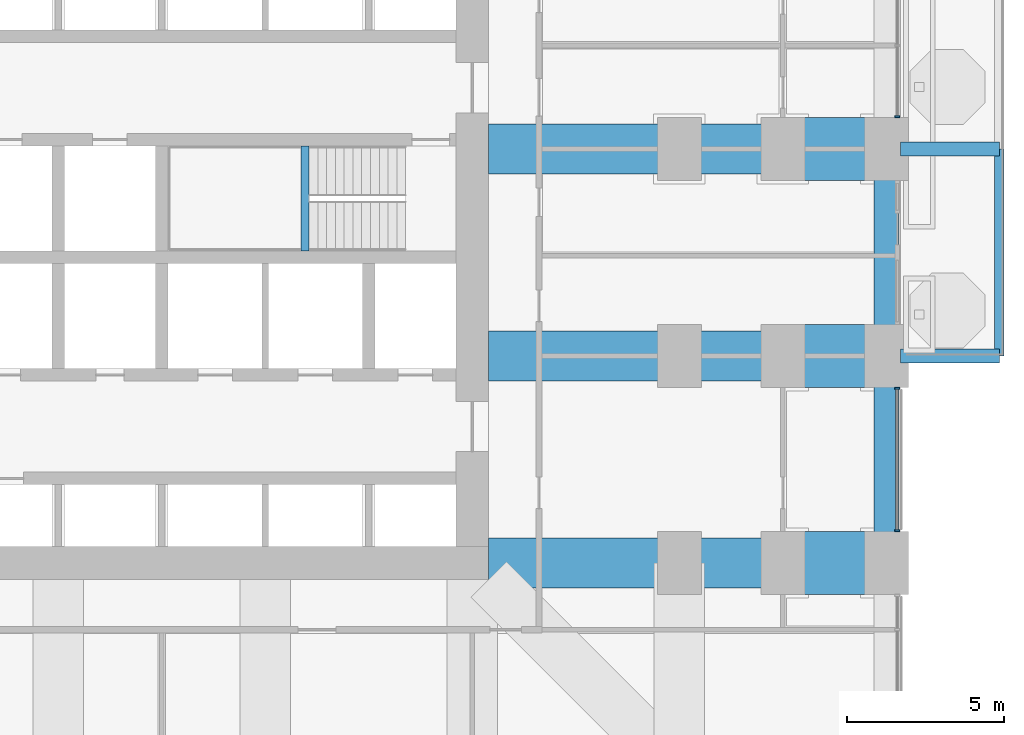
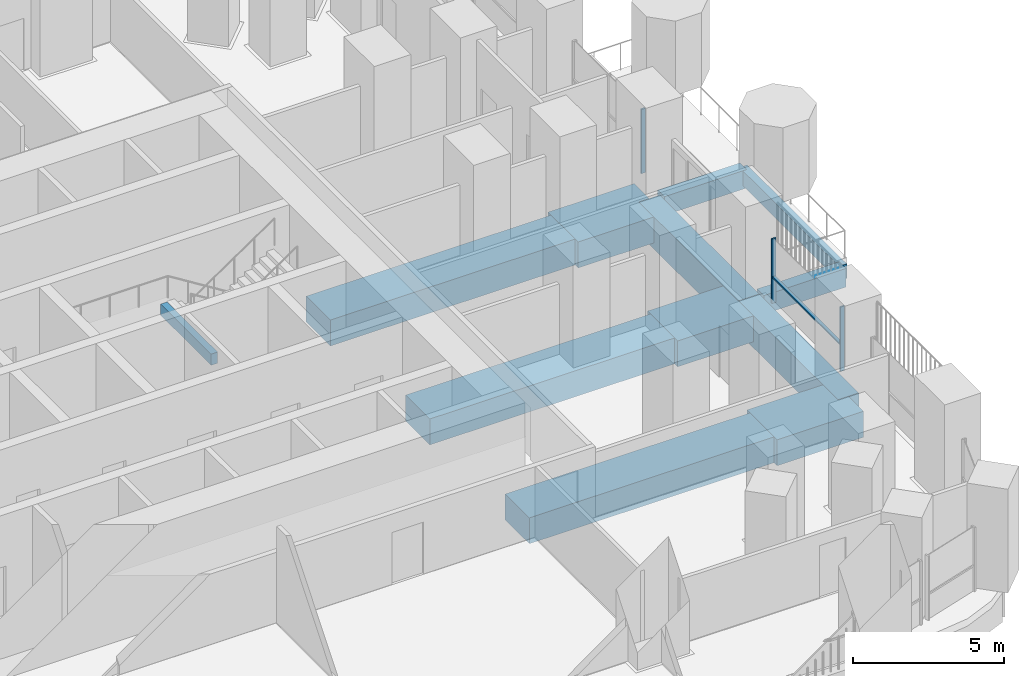
# One storey, part 5 of 25: 12 beams, 4 members, 2 elements without a shape of their own.
"""IFC4 building model written with IfcOpenShell, lengths in metres."""

from ifc_helpers import new_model, si_unit, direction, frame, origin, origin_2d, place, context, subcontext, project, spatial, rectangle, extrude, material, material_profile, profile_set, type_object, element, aggregate, save


model = new_model("IFC4")

# Units and contexts
model_context = context("Model", 3, precision=1e-05, world=origin(), true_north=direction((0.0, 1.0)))
body_context = subcontext(model_context, "Body", "Model", "MODEL_VIEW")
ifc_project = project(units=[si_unit("LENGTHUNIT", "METRE"), si_unit("AREAUNIT", "SQUARE_METRE"), si_unit("VOLUMEUNIT", "CUBIC_METRE"), si_unit("PLANEANGLEUNIT", "RADIAN"), si_unit("MASSUNIT", "GRAM", prefix="KILO")], contexts=[model_context])

# Site, building, storey
site_placement = place(None, origin())
site = spatial("IfcSite", under=ifc_project, at=site_placement, CompositionType="ELEMENT")
building_placement = place(site_placement, origin())
building = spatial("IfcBuilding", under=site, at=building_placement, Name="Cobogo Forest Laboratory Tower", CompositionType="ELEMENT")
storey_placement = place(building_placement, frame((0.0, 0.0, 67.5)))
storey = spatial("IfcBuildingStorey", under=building, at=storey_placement, Name="L15", CompositionType="ELEMENT", Elevation=67.5)

# Beams
ifc_material_1 = material(Name="Concrete HA-40 (C40/50)", Category="concrete")
ifc_material_profile_1 = material_profile(ifc_material_1, rectangle(XDim=0.449951171875, YDim=0.75, at=origin_2d()), Name="RC 450x750")
ifc_profile_set_1 = profile_set([ifc_material_profile_1], Name="Concrete HA-40 (C40/50)")
beam_type_1 = type_object("IfcBeamType", Name="Balcony cantilever beam 450x750", PredefinedType="BEAM", material=ifc_profile_set_1)
for number, where, z_axis, x_axis, name in (
    (1, (53.25, 19.800048828125, -0.625), (1.0, 0.0, 0.0), (0.0, 1.0, 0.0), "CB1 BAL-E1-C1 L15"),
    (2, (53.25, 26.39990234375, -0.625), (1.0, 0.0, 0.0), (0.0, 1.0, 0.0), "CB1 BAL-E1-C2 L15"),
):
    element("IfcBeam", number, at=place(storey_placement, frame(where, z_axis=z_axis, x_axis=x_axis)), inside=storey, type_object=beam_type_1, Name=name, PredefinedType="BEAM", context=body_context, shape_type="SweptSolid", body=[
        extrude(rectangle(XDim=0.449951171875, YDim=0.75, at=origin_2d()), origin(), (0.0, 0.0, 1.0), 3.14990234375),
    ])
ifc_material_profile_2 = material_profile(ifc_material_1, rectangle(XDim=0.300048828125, YDim=0.60009765625, at=origin_2d()), Name="RC 300x600")
ifc_profile_set_2 = profile_set([ifc_material_profile_2], Name="Concrete HA-40 (C40/50)")
beam_type_2 = type_object("IfcBeamType", Name="Balcony edge beam 300x600", PredefinedType="BEAM", material=ifc_profile_set_2)
beam_1_placement = place(storey_placement, frame((56.39990234375, 19.800048828125, -0.550048828125), z_axis=(0.0, 1.0, 0.0), x_axis=(-1.0, 0.0, 0.0)))
element("IfcBeam", 3, at=beam_1_placement, inside=storey, type_object=beam_type_2, Name="BB1 BAL-E1-T1 L15", PredefinedType="BEAM", context=body_context, shape_type="SweptSolid", body=[
    extrude(rectangle(XDim=0.300048828125, YDim=0.60009765625, at=origin_2d()), origin(), (0.0, 0.0, 1.0), 6.599853515625),
])
ifc_material_2 = material(Name="Concrete HA-50 (C50/60)", Category="concrete")
ifc_material_profile_3 = material_profile(ifc_material_2, rectangle(XDim=2.0, YDim=1.050048828125, at=origin_2d()), Name="RC 2000x1050")
ifc_profile_set_3 = profile_set([ifc_material_profile_3], Name="Concrete HA-50 (C50/60)")
beam_type_3 = type_object("IfcBeamType", Name="End-bay wide beam 2000x1050", PredefinedType="BEAM", material=ifc_profile_set_3)
for number, where, z_axis, x_axis, name in (
    (4, (52.800048828125, 13.199951171875, -0.824951171875), (-1.0, 0.0, 0.0), (0.0, -1.0, 0.0), "RB7 R-C-E-X L15"),
    (5, (52.800048828125, 19.800048828125, -0.824951171875), (-1.0, 0.0, 0.0), (0.0, -1.0, 0.0), "RB7 R-D-E-X L15"),
    (6, (52.800048828125, 26.39990234375, -0.824951171875), (-1.0, 0.0, 0.0), (0.0, -1.0, 0.0), "RB7 R-E-E-X L15"),
):
    element("IfcBeam", number, at=place(storey_placement, frame(where, z_axis=z_axis, x_axis=x_axis)), inside=storey, type_object=beam_type_3, Name=name, PredefinedType="BEAM", context=body_context, shape_type="SweptSolid", body=[
        extrude(rectangle(XDim=2.0, YDim=1.050048828125, at=origin_2d()), origin(), (0.0, 0.0, 1.0), 3.300048828125),
    ])
ifc_material_profile_4 = material_profile(ifc_material_1, rectangle(XDim=0.25, YDim=0.449951171875, at=origin_2d()), Name="RC 250x450")
ifc_profile_set_4 = profile_set([ifc_material_profile_4], Name="Concrete HA-40 (C40/50)")
beam_type_4 = type_object("IfcBeamType", Name="LB1 landing beam 250x450", PredefinedType="BEAM", material=ifc_profile_set_4)
beam_2_placement = place(storey_placement, frame((34.27001953125, 23.14990234375, 1.675048828125), z_axis=(0.0, 1.0, 0.0), x_axis=(-1.0, 0.0, 0.0)))
element("IfcBeam", 7, at=beam_2_placement, inside=storey, type_object=beam_type_4, Name="Landing beam ST2 L15", PredefinedType="BEAM", context=body_context, shape_type="SweptSolid", body=[
    extrude(rectangle(XDim=0.25, YDim=0.449951171875, at=origin_2d()), origin(), (0.0, 0.0, 1.0), 3.35009765625),
])
ifc_material_profile_5 = material_profile(ifc_material_2, rectangle(XDim=1.60009765625, YDim=1.050048828125, at=origin_2d()), Name="RC 1600x1050")
ifc_profile_set_5 = profile_set([ifc_material_profile_5], Name="Concrete HA-50 (C50/60)")
beam_type_5 = type_object("IfcBeamType", Name="Laboratory floor wide beam 1600x1050", PredefinedType="BEAM", material=ifc_profile_set_5)
for number, where, z_axis, x_axis, name in (
    (8, (40.125, 13.199951171875, -0.824951171875), (1.0, 0.0, 0.0), (0.0, 1.0, 0.0), "RB8 R-C-E L15"),
    (9, (40.125, 19.800048828125, -0.824951171875), (1.0, 0.0, 0.0), (0.0, 1.0, 0.0), "RB8 R-D-E L15"),
    (10, (40.125, 26.39990234375, -0.824951171875), (1.0, 0.0, 0.0), (0.0, 1.0, 0.0), "RB8 R-E-E L15"),
):
    element("IfcBeam", number, at=place(storey_placement, frame(where, z_axis=z_axis, x_axis=x_axis)), inside=storey, type_object=beam_type_5, Name=name, PredefinedType="BEAM", context=body_context, shape_type="SweptSolid", body=[
        extrude(rectangle(XDim=1.60009765625, YDim=1.050048828125, at=origin_2d()), origin(), (0.0, 0.0, 1.0), 9.375),
    ])

# Curtain wall, members
ifc_material_3 = material(Name="Aluminium curtain wall", Category="aluminium")
curtain_wall_type = type_object("IfcCurtainWallType", Name="CW-1 unitised curtain wall, clear glazing, laboratory floors zones A and B", PredefinedType="USERDEFINED", material=ifc_material_3)
curtain_wall_1_placement = place(storey_placement, origin())
curtain_wall_1 = element("IfcCurtainWall", 11, at=curtain_wall_1_placement, inside=storey, type_object=curtain_wall_type, Name="Curtain wall 11 L15", ObjectType="UNITISED CURTAIN WALL", PredefinedType="USERDEFINED")
ifc_material_4 = material(Name="Aluminium mullion", Category="aluminium")
ifc_material_profile_6 = material_profile(ifc_material_4, rectangle(XDim=0.06005859375, YDim=0.159912109375, at=origin_2d()), Name="AL 60x160")
ifc_profile_set_6 = profile_set([ifc_material_profile_6], Name="Aluminium mullion")
member_type_1 = type_object("IfcMemberType", Name="MU-1 aluminium mullion 60x160", PredefinedType="MULLION", material=ifc_profile_set_6)
member_1_placement = place(storey_placement, frame((53.14990234375, 14.22998046875, 0.0), z_axis=(0.0, 0.0, 1.0), x_axis=(0.0, 1.0, 0.0)))
member_1 = element("IfcMember", 12, at=member_1_placement, type_object=member_type_1, Name="CW-1 mullion 1", PredefinedType="MULLION", context=body_context, shape_type="SweptSolid", body=[
    extrude(rectangle(XDim=0.06005859375, YDim=0.159912109375, at=origin_2d()), origin(), (0.0, 0.0, 1.0), 2.60009765625),
])
member_2_placement = place(storey_placement, frame((53.14990234375, 18.77001953125, 0.0), z_axis=(0.0, 0.0, 1.0), x_axis=(0.0, 1.0, 0.0)))
member_2 = element("IfcMember", 13, at=member_2_placement, type_object=member_type_1, Name="CW-1 mullion 2", PredefinedType="MULLION", context=body_context, shape_type="SweptSolid", body=[
    extrude(rectangle(XDim=0.06005859375, YDim=0.159912109375, at=origin_2d()), origin(), (0.0, 0.0, 1.0), 2.60009765625),
])

# Curtain wall, member
curtain_wall_2_placement = place(storey_placement, origin())
curtain_wall_2 = element("IfcCurtainWall", 14, at=curtain_wall_2_placement, inside=storey, type_object=curtain_wall_type, Name="Curtain wall 13 L15", ObjectType="UNITISED CURTAIN WALL", PredefinedType="USERDEFINED")
member_3_placement = place(storey_placement, frame((53.14990234375, 27.429931640625, 0.0), z_axis=(0.0, 0.0, 1.0), x_axis=(0.0, 1.0, 0.0)))
member_3 = element("IfcMember", 15, at=member_3_placement, type_object=member_type_1, Name="CW-1 mullion 1", PredefinedType="MULLION", context=body_context, shape_type="SweptSolid", body=[
    extrude(rectangle(XDim=0.06005859375, YDim=0.159912109375, at=origin_2d()), origin(), (0.0, 0.0, 1.0), 2.60009765625),
])
aggregate(curtain_wall_2, [member_3])

# Beams
ifc_material_profile_7 = material_profile(ifc_material_1, rectangle(XDim=0.800048828125, YDim=1.300048828125, at=origin_2d()), Name="RC 800x1300")
ifc_profile_set_7 = profile_set([ifc_material_profile_7], Name="Concrete HA-40 (C40/50)")
beam_type_6 = type_object("IfcBeamType", Name="Perimeter edge beam 800x1300", PredefinedType="BEAM", material=ifc_profile_set_7)
beam_3_placement = place(storey_placement, frame((52.800048828125, 13.199951171875, -0.949951171875), z_axis=(0.0, 1.0, 0.0), x_axis=(-1.0, 0.0, 0.0)))
element("IfcBeam", 16, at=beam_3_placement, inside=storey, type_object=beam_type_6, Name="EB2 E-E2 L15", PredefinedType="BEAM", context=body_context, shape_type="SweptSolid", body=[
    extrude(rectangle(XDim=0.800048828125, YDim=1.300048828125, at=origin_2d()), origin(), (0.0, 0.0, 1.0), 6.60009765625),
])
beam_4_placement = place(storey_placement, frame((52.800048828125, 19.800048828125, -0.949951171875), z_axis=(0.0, 1.0, 0.0), x_axis=(-1.0, 0.0, 0.0)))
element("IfcBeam", 17, at=beam_4_placement, inside=storey, type_object=beam_type_6, Name="EB2 E-E3 L15", PredefinedType="BEAM", context=body_context, shape_type="SweptSolid", body=[
    extrude(rectangle(XDim=0.800048828125, YDim=1.300048828125, at=origin_2d()), origin(), (0.0, 0.0, 1.0), 6.599853515625),
])

# Member
ifc_material_5 = material(Name="Aluminium transom", Category="aluminium")
ifc_material_profile_8 = material_profile(ifc_material_5, rectangle(XDim=0.1201171875, YDim=0.06005859375, at=origin_2d()), Name="AL 60x120")
ifc_profile_set_8 = profile_set([ifc_material_profile_8], Name="Aluminium transom")
member_type_2 = type_object("IfcMemberType", Name="TR-1 aluminium transom 60x120", PredefinedType="USERDEFINED", material=ifc_profile_set_8)
member_4_placement = place(storey_placement, frame((53.14990234375, 14.260009765625, 1.050048828125), z_axis=(0.0, 1.0, 0.0), x_axis=(-1.0, 0.0, 0.0)))
member_4 = element("IfcMember", 18, at=member_4_placement, type_object=member_type_2, Name="CW-1 transom 1.1", ObjectType="TRANSOM", PredefinedType="USERDEFINED", context=body_context, shape_type="SweptSolid", body=[
    extrude(rectangle(XDim=0.1201171875, YDim=0.06005859375, at=origin_2d()), origin(), (0.0, 0.0, 1.0), 4.47998046875),
])

aggregate(curtain_wall_1, [member_1, member_2, member_4])

save(model, "model.ifc")
